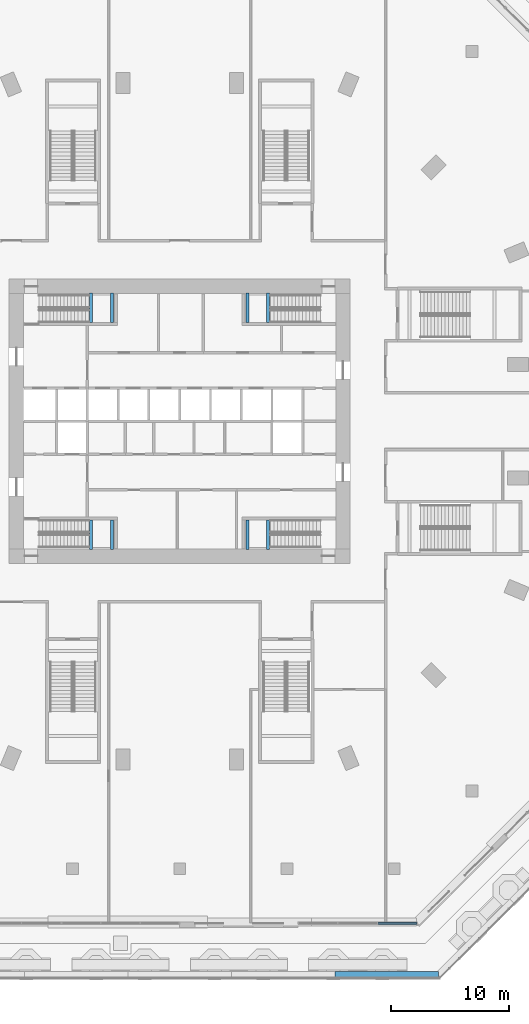
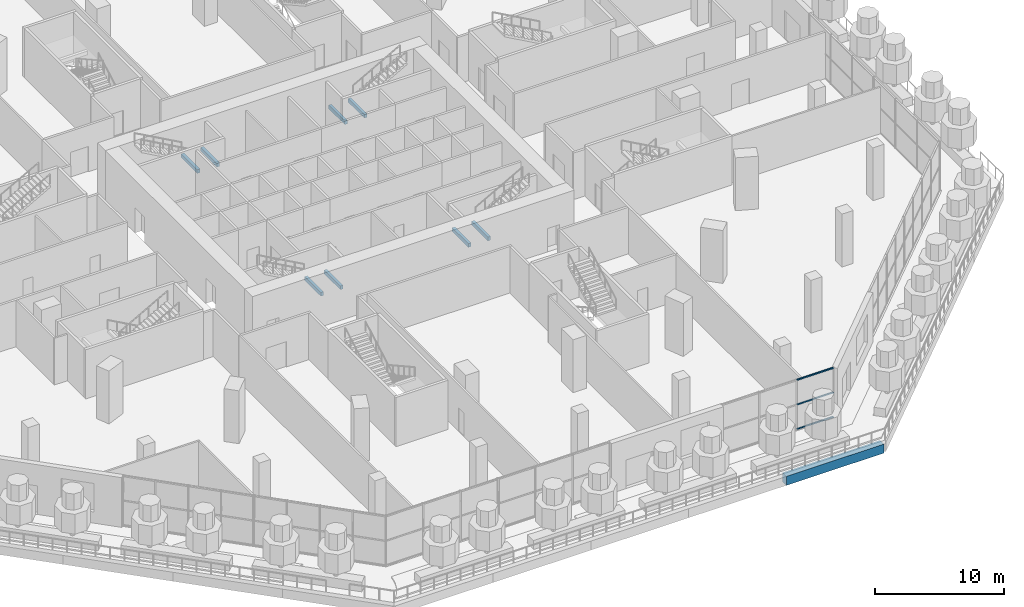
# One storey, part 8 of 32: 9 beams, 3 members, 1 element without a shape of its own.
"""IFC4 building model written with IfcOpenShell, lengths in metres."""

from ifc_helpers import new_model, si_unit, direction, frame, origin, origin_2d, place, context, subcontext, project, spatial, rectangle, extrude, material, material_profile, profile_set, type_object, element, aggregate, save


model = new_model("IFC4")

# Units and contexts
model_context = context("Model", 3, precision=1e-05, world=origin(), true_north=direction((0.0, 1.0)))
body_context = subcontext(model_context, "Body", "Model", "MODEL_VIEW")
ifc_project = project(units=[si_unit("LENGTHUNIT", "METRE"), si_unit("AREAUNIT", "SQUARE_METRE"), si_unit("VOLUMEUNIT", "CUBIC_METRE"), si_unit("PLANEANGLEUNIT", "RADIAN"), si_unit("MASSUNIT", "GRAM", prefix="KILO")], contexts=[model_context])

# Site, building, storey
site_placement = place(None, origin())
site = spatial("IfcSite", under=ifc_project, at=site_placement, CompositionType="ELEMENT")
building_placement = place(site_placement, origin())
building = spatial("IfcBuilding", under=site, at=building_placement, Name="Msitu Wima Residences", CompositionType="ELEMENT")
storey_placement = place(building_placement, frame((0.0, 0.0, 6.0)))
storey = spatial("IfcBuildingStorey", under=building, at=storey_placement, Name="L01", CompositionType="ELEMENT", Elevation=6.0)

# Beams
ifc_material_1 = material(Name="Concrete C40/50", Category="concrete")
ifc_material_profile_1 = material_profile(ifc_material_1, rectangle(XDim=0.25, YDim=0.35009765625, at=origin_2d()), Name="RC 250x350")
ifc_profile_set_1 = profile_set([ifc_material_profile_1], Name="Concrete C40/50")
beam_type_1 = type_object("IfcBeamType", Name="Landing beam RC 250x350", PredefinedType="BEAM", material=ifc_profile_set_1)
for number, where, z_axis, x_axis, name in (
    (1, (-7.47509765625, 8.324951171875, 2.125), (0.0, 1.0, 0.0), (-1.0, 0.0, 0.0), "Stair 1 landing beam"),
    (2, (-5.72509765625, 8.324951171875, 2.125), (0.0, 1.0, 0.0), (-1.0, 0.0, 0.0), "Stair 1 landing beam"),
    (3, (-7.47509765625, -10.824951171875, 2.125), (0.0, 1.0, 0.0), (-1.0, 0.0, 0.0), "Stair 2 landing beam"),
    (4, (-5.72509765625, -10.824951171875, 2.125), (0.0, 1.0, 0.0), (-1.0, 0.0, 0.0), "Stair 2 landing beam"),
    (5, (7.47509765625, 8.324951171875, 2.125), (0.0, 1.0, 0.0), (-1.0, 0.0, 0.0), "Stair 3 landing beam"),
    (6, (5.72509765625, 8.324951171875, 2.125), (0.0, 1.0, 0.0), (-1.0, 0.0, 0.0), "Stair 3 landing beam"),
    (7, (7.47509765625, -10.824951171875, 2.125), (0.0, 1.0, 0.0), (-1.0, 0.0, 0.0), "Stair 4 landing beam"),
    (8, (5.72509765625, -10.824951171875, 2.125), (0.0, 1.0, 0.0), (-1.0, 0.0, 0.0), "Stair 4 landing beam"),
):
    element("IfcBeam", number, at=place(storey_placement, frame(where, z_axis=z_axis, x_axis=x_axis)), inside=storey, type_object=beam_type_1, Name=name, PredefinedType="BEAM", context=body_context, shape_type="SweptSolid", body=[
        extrude(rectangle(XDim=0.25, YDim=0.35009765625, at=origin_2d()), origin(), (0.0, 0.0, 1.0), 2.5),
    ])
ifc_material_2 = material(Name="Concrete C60/75", Category="concrete")
ifc_material_profile_2 = material_profile(ifc_material_2, rectangle(XDim=0.60009765625, YDim=0.85009765625, at=origin_2d()), Name="RC 600x850")
ifc_profile_set_2 = profile_set([ifc_material_profile_2], Name="Concrete C60/75")
beam_type_2 = type_object("IfcBeamType", Name="Terrace beam RC 600x850 Concrete C60/75", PredefinedType="BEAM", material=ifc_profile_set_2)
beam_placement = place(storey_placement, frame((13.113525390625, -46.800048828125, -0.77490234375), z_axis=(1.0, 0.0, 0.0), x_axis=(0.0, 1.0, 0.0)))
element("IfcBeam", 9, at=beam_placement, inside=storey, type_object=beam_type_2, Name="Terrace edge beam L00 C-S4", PredefinedType="BEAM", context=body_context, shape_type="SweptSolid", body=[
    extrude(rectangle(XDim=0.60009765625, YDim=0.85009765625, at=origin_2d()), origin(), (0.0, 0.0, 1.0), 8.742431640625),
])

# Curtain wall, members
ifc_material_3 = material(Name="Anodised aluminium, bronze finish, clear low-emissivity double glazing", Category="aluminium")
curtain_wall_type = type_object("IfcCurtainWallType", Name="Curtain wall CW5 retail shopfront", PredefinedType="NOTDEFINED", material=ifc_material_3)
curtain_wall_placement = place(storey_placement, origin())
curtain_wall = element("IfcCurtainWall", 10, at=curtain_wall_placement, inside=storey, type_object=curtain_wall_type, Name="Curtain wall CW5 L01 S3", PredefinedType="NOTDEFINED")
ifc_material_4 = material(Name="Anodised aluminium, bronze finish", Category="aluminium")
ifc_material_profile_3 = material_profile(ifc_material_4, rectangle(XDim=0.139892578125, YDim=0.06494140625, at=origin_2d()), Name="Transom 65x140")
ifc_profile_set_3 = profile_set([ifc_material_profile_3], Name="Anodised aluminium, bronze finish")
member_type = type_object("IfcMemberType", Name="Transom CW5 65x140", PredefinedType="USERDEFINED", material=ifc_profile_set_3)
member_1_placement = place(storey_placement, frame((16.754638671875, -42.39990234375, 0.032470703125), z_axis=(1.0, 0.0, 0.0), x_axis=(0.0, 1.0, 0.0)))
member_1 = element("IfcMember", 11, at=member_1_placement, type_object=member_type, Name="CW5 transom 3.1", ObjectType="TRANSOM", PredefinedType="USERDEFINED", context=body_context, shape_type="SweptSolid", body=[
    extrude(rectangle(XDim=0.139892578125, YDim=0.06494140625, at=origin_2d()), origin(), (0.0, 0.0, 1.0), 3.265380859375),
])
member_2_placement = place(storey_placement, frame((16.754638671875, -42.39990234375, 2.35009765625), z_axis=(1.0, 0.0, 0.0), x_axis=(0.0, 1.0, 0.0)))
member_2 = element("IfcMember", 12, at=member_2_placement, type_object=member_type, Name="CW5 transom 3.2", ObjectType="TRANSOM", PredefinedType="USERDEFINED", context=body_context, shape_type="SweptSolid", body=[
    extrude(rectangle(XDim=0.139892578125, YDim=0.06494140625, at=origin_2d()), origin(), (0.0, 0.0, 1.0), 3.265380859375),
])
member_3_placement = place(storey_placement, frame((16.754638671875, -42.39990234375, 4.66748046875), z_axis=(1.0, 0.0, 0.0), x_axis=(0.0, 1.0, 0.0)))
member_3 = element("IfcMember", 13, at=member_3_placement, type_object=member_type, Name="CW5 transom 3.3", ObjectType="TRANSOM", PredefinedType="USERDEFINED", context=body_context, shape_type="SweptSolid", body=[
    extrude(rectangle(XDim=0.139892578125, YDim=0.06494140625, at=origin_2d()), origin(), (0.0, 0.0, 1.0), 3.265380859375),
])
aggregate(curtain_wall, [member_1, member_2, member_3])

save(model, "model.ifc")
